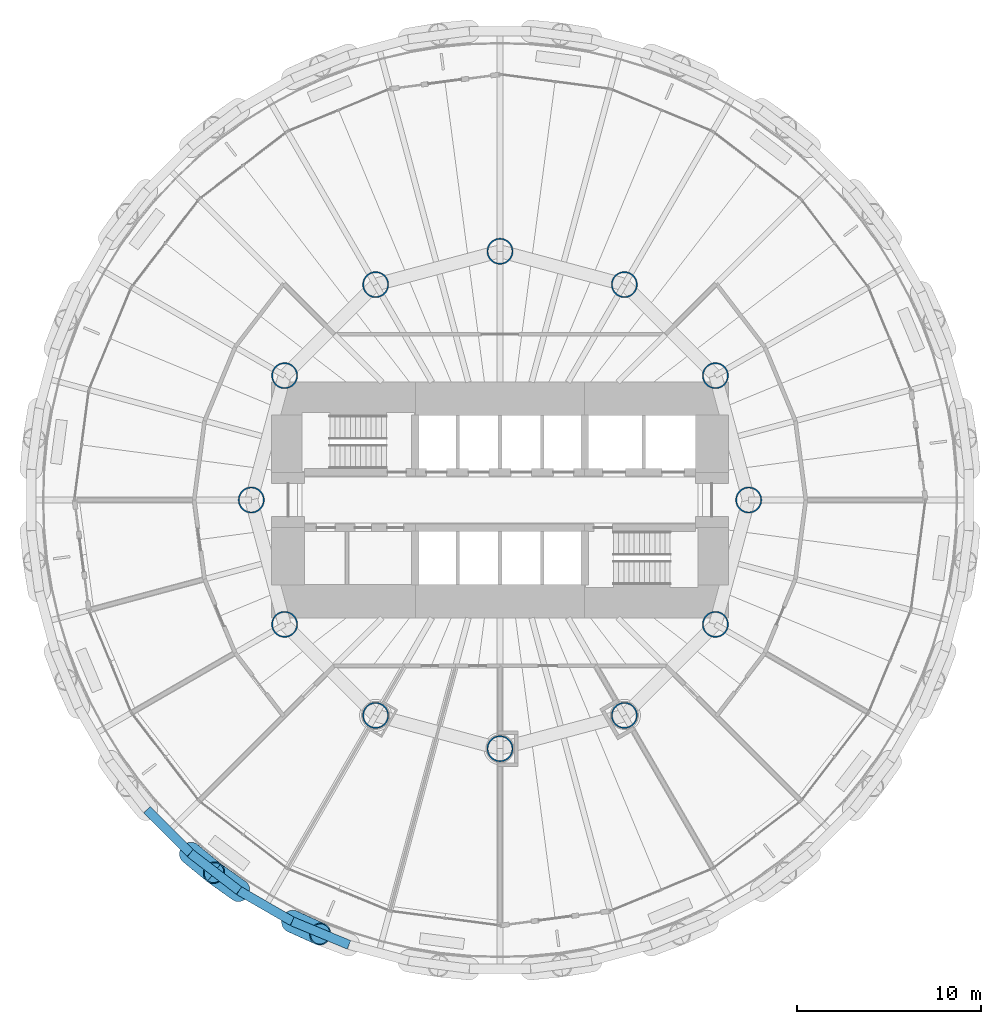
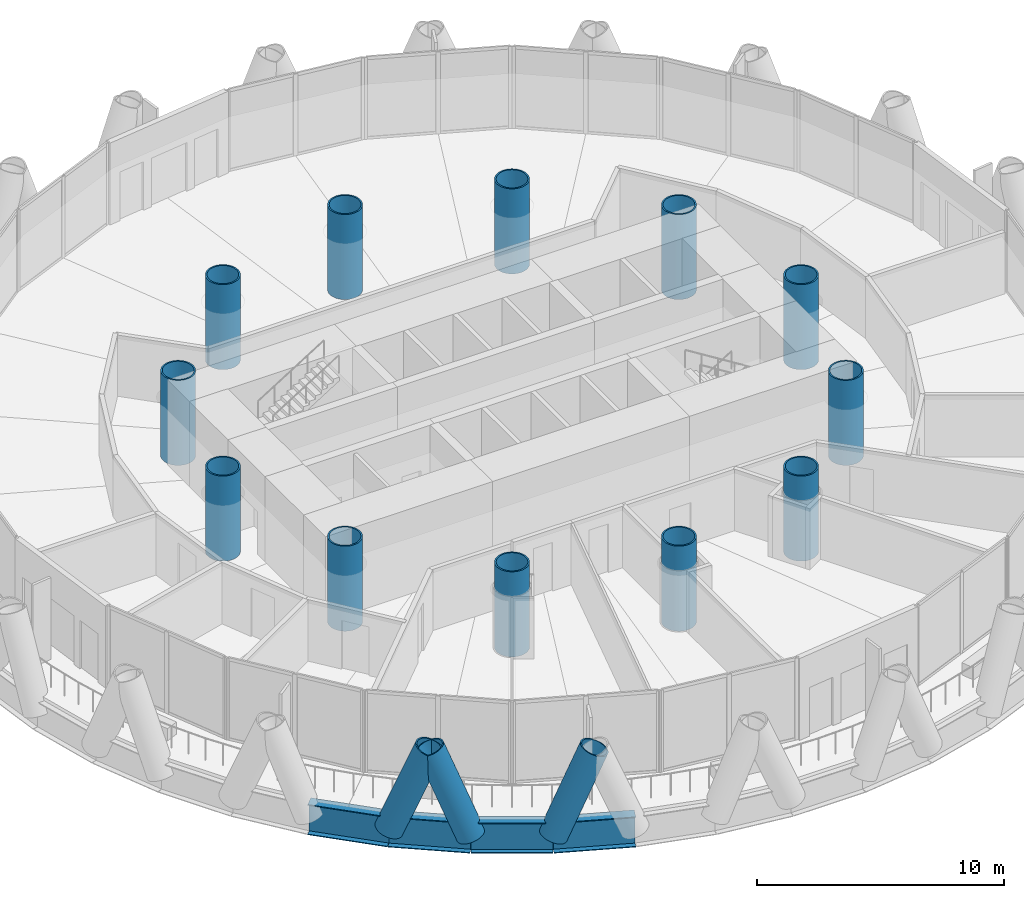
# One storey, part 1 of 16: 12 columns, 4 beams, 3 members.
"""IFC4 building model written with IfcOpenShell, lengths in metres."""

from ifc_helpers import new_model, si_unit, direction, frame, origin, origin_2d, place, context, subcontext, project, spatial, hollow_circle, i_section, extrude, material, material_profile, profile_set, type_object, element, save


model = new_model("IFC4")

# Units and contexts
model_context = context("Model", 3, precision=1e-05, world=origin(), true_north=direction((0.0, 1.0)))
body_context = subcontext(model_context, "Body", "Model", "MODEL_VIEW")
ifc_project = project(units=[si_unit("LENGTHUNIT", "METRE"), si_unit("AREAUNIT", "SQUARE_METRE"), si_unit("VOLUMEUNIT", "CUBIC_METRE"), si_unit("PLANEANGLEUNIT", "RADIAN"), si_unit("MASSUNIT", "GRAM", prefix="KILO")], contexts=[model_context])

# Site, building, storey
site_placement = place(None, origin())
site = spatial("IfcSite", under=ifc_project, at=site_placement, CompositionType="ELEMENT")
building_placement = place(site_placement, origin())
building = spatial("IfcBuilding", under=site, at=building_placement, Name="Qaws Media Tower", CompositionType="ELEMENT")
storey_placement = place(building_placement, frame((0.0, 0.0, 80.60009765625)))
storey = spatial("IfcBuildingStorey", under=building, at=storey_placement, Name="L17", CompositionType="ELEMENT", Elevation=80.60009765625)

# Columns
ifc_material_1 = material(Name="Steel S460", Category="steel")
ifc_material_profile_1 = material_profile(ifc_material_1, hollow_circle(Radius=0.7109375, WallThickness=0.070068359375, at=origin_2d()), Name="CHS 1422x70")
ifc_profile_set_1 = profile_set([ifc_material_profile_1], Name="Steel S460")
column_type = type_object("IfcColumnType", Name="Inner column CHS 1422x70", PredefinedType="COLUMN", material=ifc_profile_set_1)
for number, where, z_axis, x_axis, name in (
    (1, (73.5, 50.0, 0.0), (0.0, 0.0, 1.0), (1.0, 0.0, 0.0), "C5 inner column I01 L17"),
    (2, (71.69140625, 56.75, 0.0), (0.0, 0.0, 1.0), (1.0, 0.0, 0.0), "C5 inner column I02 L17"),
    (3, (66.75, 61.69140625, 0.0), (0.0, 0.0, 1.0), (1.0, 0.0, 0.0), "C5 inner column I03 L17"),
    (4, (60.0, 63.5, 0.0), (0.0, 0.0, 1.0), (1.0, 0.0, 0.0), "C5 inner column I04 L17"),
    (5, (53.25, 61.69140625, 0.0), (0.0, 0.0, 1.0), (1.0, 0.0, 0.0), "C5 inner column I05 L17"),
    (6, (48.30859375, 56.75, 0.0), (0.0, 0.0, 1.0), (1.0, 0.0, 0.0), "C5 inner column I06 L17"),
    (7, (46.5, 50.0, 0.0), (0.0, 0.0, 1.0), (1.0, 0.0, 0.0), "C5 inner column I07 L17"),
    (8, (48.30859375, 43.25, 0.0), (0.0, 0.0, 1.0), (1.0, 0.0, 0.0), "C5 inner column I08 L17"),
    (9, (53.25, 38.30859375, 0.0), (0.0, 0.0, 1.0), (1.0, 0.0, 0.0), "C5 inner column I09 L17"),
    (10, (60.0, 36.5, 0.0), (0.0, 0.0, 1.0), (1.0, 0.0, 0.0), "C5 inner column I10 L17"),
    (11, (66.75, 38.30859375, 0.0), (0.0, 0.0, 1.0), (1.0, 0.0, 0.0), "C5 inner column I11 L17"),
    (12, (71.69140625, 43.25, 0.0), (0.0, 0.0, 1.0), (1.0, 0.0, 0.0), "C5 inner column I12 L17"),
):
    element("IfcColumn", number, at=place(storey_placement, frame(where, z_axis=z_axis, x_axis=x_axis)), inside=storey, type_object=column_type, Name=name, PredefinedType="COLUMN", context=body_context, shape_type="SweptSolid", body=[
        extrude(hollow_circle(Radius=0.7109375, WallThickness=0.070068359375, at=origin_2d()), origin(), (0.0, 0.0, 1.0), 4.199951171875),
    ])

# Members
ifc_material_2 = material(Name="Steel S460", Category="steel")
ifc_material_profile_2 = material_profile(ifc_material_2, hollow_circle(Radius=0.609619140625, WallThickness=0.06005859375, at=origin_2d()), Name="CHS 1219x60")
ifc_profile_set_2 = profile_set([ifc_material_profile_2], Name="Steel S460")
member_type = type_object("IfcMemberType", Name="Diagrid member CHS 1219x60", PredefinedType="USERDEFINED", material=ifc_profile_set_2)
for number, where, z_axis, x_axis, name in (
    (13, (43.186767578125, 30.828125, -0.91015625), (0.285399090487, -0.234240101524, 0.929343281025), (0.634424229386, 0.772985056238, 0.0), "DG1 diagrid L17 A16"),
    (14, (48.7216796875, 27.129638671875, -0.91015625), (0.336291874755, -0.152344270974, 0.92935407573), (0.412645014816, 0.910891921003, 0.0), "DG1 diagrid L17 A17"),
    (15, (45.8330078125, 28.797607421875, -0.91015625), (-0.300144289115, 0.215060189879, 0.92933445026), (-0.582441610949, -0.812872542183, 0.0), "DG1 diagrid L17 B17"),
):
    element("IfcMember", number, at=place(storey_placement, frame(where, z_axis=z_axis, x_axis=x_axis)), inside=storey, type_object=member_type, Name=name, ObjectType="DIAGRID", PredefinedType="USERDEFINED", context=body_context, shape_type="SweptSolid", body=[
        extrude(hollow_circle(Radius=0.609619140625, WallThickness=0.06005859375, at=origin_2d()), origin(), (0.0, 0.0, 1.0), 4.519287109375),
    ])

# Beams
ifc_material_3 = material(Name="Steel S460", Category="steel")
ifc_material_profile_3 = material_profile(ifc_material_3, i_section(OverallWidth=0.5, OverallDepth=1.5, WebThickness=0.02001953125, FlangeThickness=0.0400390625, at=origin_2d()), Name="PG 1500x500")
ifc_profile_set_3 = profile_set([ifc_material_profile_3], Name="Steel S460")
beam_type = type_object("IfcBeamType", Name="Edge ring beam PG 1500x500", PredefinedType="BEAM", material=ifc_profile_set_3)
beam_1_placement = place(storey_placement, frame((40.828125, 33.186767578125, -0.91015625), z_axis=(0.707106781187, -0.707106781187, 0.0), x_axis=(0.707106781187, 0.707106781187, 0.0)))
element("IfcBeam", 16, at=beam_1_placement, inside=storey, type_object=beam_type, Name="RB4 edge ring beam L17-30", PredefinedType="BEAM", context=body_context, shape_type="SweptSolid", body=[
    extrude(i_section(OverallWidth=0.5, OverallDepth=1.5, WebThickness=0.02001953125, FlangeThickness=0.0400390625, at=origin_2d()), origin(), (0.0, 0.0, 1.0), 3.335693359375),
])
beam_2_placement = place(storey_placement, frame((43.186767578125, 30.828125, -0.91015625), z_axis=(0.793355363123, -0.608758792794, 0.0), x_axis=(0.608758792794, 0.793355363123, 0.0)))
element("IfcBeam", 17, at=beam_2_placement, inside=storey, type_object=beam_type, Name="RB4 edge ring beam L17-31", PredefinedType="BEAM", context=body_context, shape_type="SweptSolid", body=[
    extrude(i_section(OverallWidth=0.5, OverallDepth=1.5, WebThickness=0.02001953125, FlangeThickness=0.0400390625, at=origin_2d()), origin(), (0.0, 0.0, 1.0), 3.33544921875),
])
beam_3_placement = place(storey_placement, frame((45.8330078125, 28.797607421875, -0.91015625), z_axis=(0.866000314205, -0.500043453909, 0.0), x_axis=(0.500043453909, 0.866000314205, 0.0)))
element("IfcBeam", 18, at=beam_3_placement, inside=storey, type_object=beam_type, Name="RB4 edge ring beam L17-32", PredefinedType="BEAM", context=body_context, shape_type="SweptSolid", body=[
    extrude(i_section(OverallWidth=0.5, OverallDepth=1.5, WebThickness=0.02001953125, FlangeThickness=0.0400390625, at=origin_2d()), origin(), (0.0, 0.0, 1.0), 3.335693359375),
])
beam_4_placement = place(storey_placement, frame((48.7216796875, 27.129638671875, -0.91015625), z_axis=(0.923884800947, -0.382670712989, 0.0), x_axis=(0.382670712989, 0.923884800947, 0.0)))
element("IfcBeam", 19, at=beam_4_placement, inside=storey, type_object=beam_type, Name="RB4 edge ring beam L17-33", PredefinedType="BEAM", context=body_context, shape_type="SweptSolid", body=[
    extrude(i_section(OverallWidth=0.5, OverallDepth=1.5, WebThickness=0.02001953125, FlangeThickness=0.0400390625, at=origin_2d()), origin(), (0.0, 0.0, 1.0), 3.33544921875),
])

save(model, "model.ifc")
